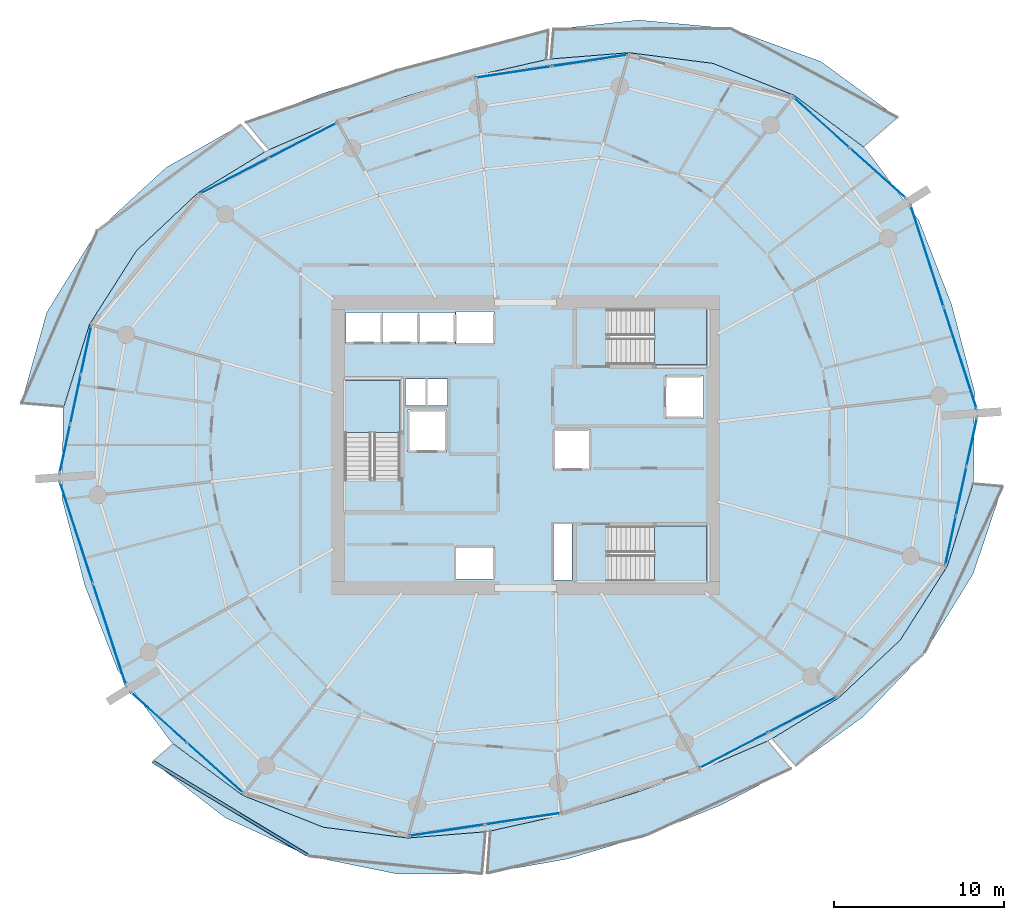
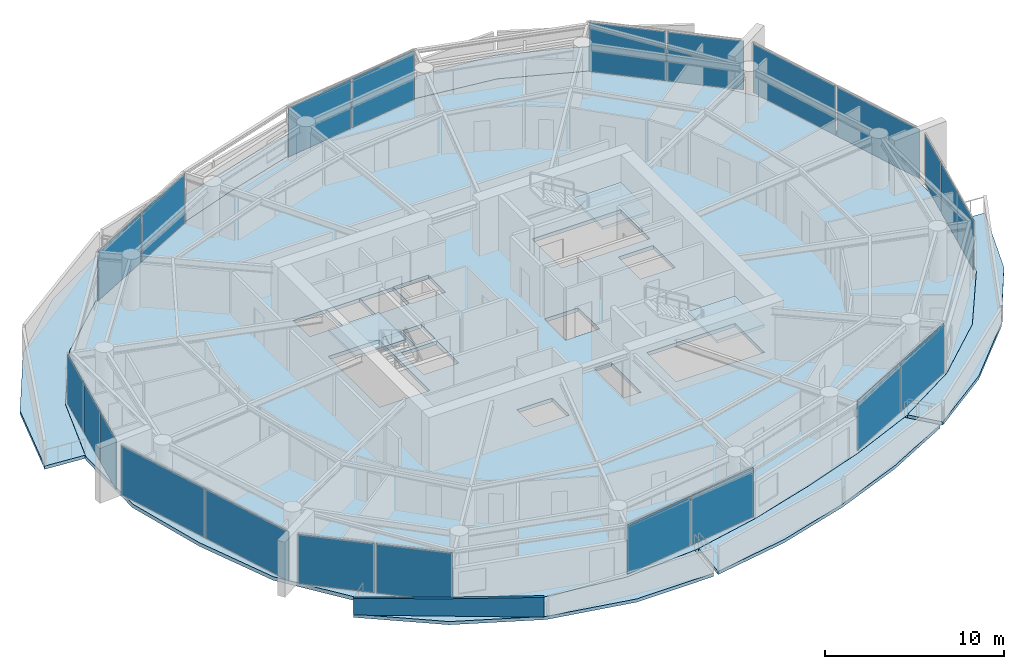
# One storey, part 10 of 20: 22 plates, 10 slabs, 1 wall, 13 elements without a shape of their own.
"""IFC4 building model written with IfcOpenShell, lengths in metres."""

from ifc_helpers import new_model, si_unit, direction, frame, origin, origin_2d, place, context, subcontext, project, spatial, polyline, rectangle, outline, extrude, material, layer, layer_set, type_object, element, aggregate, save


model = new_model("IFC4")

# Units and contexts
model_context = context("Model", 3, precision=1e-05, world=origin(), true_north=direction((0.0, 1.0)))
body_context = subcontext(model_context, "Body", "Model", "MODEL_VIEW")
ifc_project = project(units=[si_unit("LENGTHUNIT", "METRE"), si_unit("AREAUNIT", "SQUARE_METRE"), si_unit("VOLUMEUNIT", "CUBIC_METRE"), si_unit("PLANEANGLEUNIT", "RADIAN"), si_unit("MASSUNIT", "GRAM", prefix="KILO")], contexts=[model_context])

# Site, building, storey
site_placement = place(None, origin())
site = spatial("IfcSite", under=ifc_project, at=site_placement, CompositionType="ELEMENT")
building_placement = place(site_placement, origin())
building = spatial("IfcBuilding", under=site, at=building_placement, Name="Kazma Halo Residences", CompositionType="ELEMENT")
storey_placement = place(building_placement, frame((0.0, 0.0, 139.050048828125)))
storey = spatial("IfcBuildingStorey", under=building, at=storey_placement, Name="L34", CompositionType="ELEMENT", Elevation=139.050048828125)

# Curtain wall, plates
ifc_material_1 = material(Name="Aluminium AW-6063 T6 and Triple-Silver Low-E Glass", Category="aluminium")
ifc_layer_1 = layer(ifc_material_1, 0.219970703125)
ifc_layer_set_1 = layer_set([ifc_layer_1], Name="Aluminium AW-6063 T6 and Triple-Silver Low-E Glass")
curtain_wall_type = type_object("IfcCurtainWallType", Name="CW-SYS-4", PredefinedType="NOTDEFINED", material=ifc_layer_set_1)
curtain_wall_1_placement = place(storey_placement, origin())
curtain_wall_1 = element("IfcCurtainWall", 1, at=curtain_wall_1_placement, inside=storey, type_object=curtain_wall_type, Name="L34 unitised curtain wall B01", PredefinedType="NOTDEFINED")
ifc_material_2 = material(Name="Clear Triple-Silver Low-E Glass IGU", Category="glass")
ifc_layer_2 = layer(ifc_material_2, 0.033935546875)
ifc_layer_set_2 = layer_set([ifc_layer_2], Name="Clear Triple-Silver Low-E Glass IGU")
plate_type = type_object("IfcPlateType", Name="CW-SYS-4-PNL", PredefinedType="CURTAIN_PANEL", material=ifc_layer_set_2)
plate_1_placement = place(storey_placement, frame((69.126708984375, 58.008056640625, 0.074951171875), z_axis=(0.0, 0.0, 1.0), x_axis=(-0.744367582957, 0.667770096247, 0.0)))
plate_1 = element("IfcPlate", 2, at=plate_1_placement, type_object=plate_type, Name="CWS-4 panel 1.1", PredefinedType="CURTAIN_PANEL", context=body_context, shape_type="SweptSolid", body=[
    extrude(rectangle(XDim=4.36279296875, YDim=0.033935546875, at=origin_2d()), origin(), (0.0, 0.0, 1.0), 3.35009765625),
])
plate_2_placement = place(storey_placement, frame((65.823486328125, 60.971435546875, 0.074951171875), z_axis=(0.0, 0.0, 1.0), x_axis=(-0.744367582957, 0.667770096247, 0.0)))
plate_2 = element("IfcPlate", 3, at=plate_2_placement, type_object=plate_type, Name="CWS-4 panel 2.1", PredefinedType="CURTAIN_PANEL", context=body_context, shape_type="SweptSolid", body=[
    extrude(rectangle(XDim=4.36279296875, YDim=0.033935546875, at=origin_2d()), origin(), (0.0, 0.0, 1.0), 3.35009765625),
])
aggregate(curtain_wall_1, [plate_1, plate_2])

curtain_wall_2_placement = place(storey_placement, origin())
curtain_wall_2 = element("IfcCurtainWall", 4, at=curtain_wall_2_placement, inside=storey, type_object=curtain_wall_type, Name="L34 unitised curtain wall B03", PredefinedType="NOTDEFINED")
plate_3_placement = place(storey_placement, frame((52.200439453125, 64.625732421875, 0.074951171875), z_axis=(0.0, 0.0, 1.0), x_axis=(-0.988864148004, -0.148821022686, 0.0)))
plate_3 = element("IfcPlate", 5, at=plate_3_placement, type_object=plate_type, Name="CWS-4 panel 1.1", PredefinedType="CURTAIN_PANEL", context=body_context, shape_type="SweptSolid", body=[
    extrude(rectangle(XDim=4.4560546875, YDim=0.033935546875, at=origin_2d()), origin(), (0.0, 0.0, 1.0), 3.35009765625),
])
plate_4_placement = place(storey_placement, frame((47.7197265625, 63.951416015625, 0.074951171875), z_axis=(0.0, 0.0, 1.0), x_axis=(-0.988864148004, -0.148821022686, 0.0)))
plate_4 = element("IfcPlate", 6, at=plate_4_placement, type_object=plate_type, Name="CWS-4 panel 2.1", PredefinedType="CURTAIN_PANEL", context=body_context, shape_type="SweptSolid", body=[
    extrude(rectangle(XDim=4.4560546875, YDim=0.033935546875, at=origin_2d()), origin(), (0.0, 0.0, 1.0), 3.35009765625),
])
aggregate(curtain_wall_2, [plate_3, plate_4])

curtain_wall_3_placement = place(storey_placement, origin())
curtain_wall_3 = element("IfcCurtainWall", 7, at=curtain_wall_3_placement, inside=storey, type_object=curtain_wall_type, Name="L34 unitised curtain wall B05", PredefinedType="NOTDEFINED")
plate_5_placement = place(storey_placement, frame((35.323974609375, 59.923828125, 0.074951171875), z_axis=(0.0, 0.0, 1.0), x_axis=(-0.887484542306, -0.460837484552, 0.0)))
plate_5 = element("IfcPlate", 8, at=plate_5_placement, type_object=plate_type, Name="CWS-4 panel 1.1", PredefinedType="CURTAIN_PANEL", context=body_context, shape_type="SweptSolid", body=[
    extrude(rectangle(XDim=4.4560546875, YDim=0.033935546875, at=origin_2d()), origin(), (0.0, 0.0, 1.0), 3.35009765625),
])
plate_6_placement = place(storey_placement, frame((31.302734375, 57.835693359375, 0.074951171875), z_axis=(0.0, 0.0, 1.0), x_axis=(-0.887484542306, -0.460837484552, 0.0)))
plate_6 = element("IfcPlate", 9, at=plate_6_placement, type_object=plate_type, Name="CWS-4 panel 2.1", PredefinedType="CURTAIN_PANEL", context=body_context, shape_type="SweptSolid", body=[
    extrude(rectangle(XDim=4.4560546875, YDim=0.033935546875, at=origin_2d()), origin(), (0.0, 0.0, 1.0), 3.35009765625),
])
aggregate(curtain_wall_3, [plate_5, plate_6])

curtain_wall_4_placement = place(storey_placement, origin())
curtain_wall_4 = element("IfcCurtainWall", 10, at=curtain_wall_4_placement, inside=storey, type_object=curtain_wall_type, Name="L34 unitised curtain wall B07", PredefinedType="NOTDEFINED")
plate_7_placement = place(storey_placement, frame((22.5859375, 47.601318359375, 0.074951171875), z_axis=(0.0, 0.0, 1.0), x_axis=(-0.209703809037, -0.977764957684, 0.0)))
plate_7 = element("IfcPlate", 11, at=plate_7_placement, type_object=plate_type, Name="CWS-4 panel 1.1", PredefinedType="CURTAIN_PANEL", context=body_context, shape_type="SweptSolid", body=[
    extrude(rectangle(XDim=2.87109375, YDim=0.033935546875, at=origin_2d()), origin(), (0.0, 0.0, 1.0), 3.35009765625),
])
plate_8_placement = place(storey_placement, frame((21.964111328125, 44.702392578125, 0.074951171875), z_axis=(0.0, 0.0, 1.0), x_axis=(-0.209703809037, -0.977764957684, 0.0)))
plate_8 = element("IfcPlate", 12, at=plate_8_placement, type_object=plate_type, Name="CWS-4 panel 2.1", PredefinedType="CURTAIN_PANEL", context=body_context, shape_type="SweptSolid", body=[
    extrude(rectangle(XDim=2.90869140625, YDim=0.033935546875, at=origin_2d()), origin(), (0.0, 0.0, 1.0), 3.35009765625),
])
plate_9_placement = place(storey_placement, frame((21.34228515625, 41.803466796875, 0.074951171875), z_axis=(0.0, 0.0, 1.0), x_axis=(-0.209703809037, -0.977764957684, 0.0)))
plate_9 = element("IfcPlate", 13, at=plate_9_placement, type_object=plate_type, Name="CWS-4 panel 3.1", PredefinedType="CURTAIN_PANEL", context=body_context, shape_type="SweptSolid", body=[
    extrude(rectangle(XDim=2.87109375, YDim=0.033935546875, at=origin_2d()), origin(), (0.0, 0.0, 1.0), 3.35009765625),
])
aggregate(curtain_wall_4, [plate_7, plate_8, plate_9])

curtain_wall_5_placement = place(storey_placement, origin())
curtain_wall_5 = element("IfcCurtainWall", 14, at=curtain_wall_5_placement, inside=storey, type_object=curtain_wall_type, Name="L34 unitised curtain wall B08", PredefinedType="NOTDEFINED")
plate_10_placement = place(storey_placement, frame((22.017578125, 36.869873046875, 0.074951171875), z_axis=(0.0, 0.0, 1.0), x_axis=(0.3090138203, -0.951057547609, 0.0)))
plate_10 = element("IfcPlate", 15, at=plate_10_placement, type_object=plate_type, Name="CWS-4 panel 1.1", PredefinedType="CURTAIN_PANEL", context=body_context, shape_type="SweptSolid", body=[
    extrude(rectangle(XDim=6.224853515625, YDim=0.033935546875, at=origin_2d()), origin(), (0.0, 0.0, 1.0), 3.35009765625),
])
plate_11_placement = place(storey_placement, frame((23.96435546875, 30.878173828125, 0.074951171875), z_axis=(0.0, 0.0, 1.0), x_axis=(0.3090138203, -0.951057547609, 0.0)))
plate_11 = element("IfcPlate", 16, at=plate_11_placement, type_object=plate_type, Name="CWS-4 panel 2.1", PredefinedType="CURTAIN_PANEL", context=body_context, shape_type="SweptSolid", body=[
    extrude(rectangle(XDim=6.224853515625, YDim=0.033935546875, at=origin_2d()), origin(), (0.0, 0.0, 1.0), 3.35009765625),
])
aggregate(curtain_wall_5, [plate_10, plate_11])

curtain_wall_6_placement = place(storey_placement, origin())
curtain_wall_6 = element("IfcCurtainWall", 17, at=curtain_wall_6_placement, inside=storey, type_object=curtain_wall_type, Name="L34 unitised curtain wall B09", PredefinedType="NOTDEFINED")
plate_12_placement = place(storey_placement, frame((26.873291015625, 25.991943359375, 0.074951171875), z_axis=(0.0, 0.0, 1.0), x_axis=(0.744367582957, -0.667770096247, 0.0)))
plate_12 = element("IfcPlate", 18, at=plate_12_placement, type_object=plate_type, Name="CWS-4 panel 1.1", PredefinedType="CURTAIN_PANEL", context=body_context, shape_type="SweptSolid", body=[
    extrude(rectangle(XDim=4.36279296875, YDim=0.033935546875, at=origin_2d()), origin(), (0.0, 0.0, 1.0), 3.35009765625),
])
plate_13_placement = place(storey_placement, frame((30.176513671875, 23.028564453125, 0.074951171875), z_axis=(0.0, 0.0, 1.0), x_axis=(0.744367582957, -0.667770096247, 0.0)))
plate_13 = element("IfcPlate", 19, at=plate_13_placement, type_object=plate_type, Name="CWS-4 panel 2.1", PredefinedType="CURTAIN_PANEL", context=body_context, shape_type="SweptSolid", body=[
    extrude(rectangle(XDim=4.36279296875, YDim=0.033935546875, at=origin_2d()), origin(), (0.0, 0.0, 1.0), 3.35009765625),
])
aggregate(curtain_wall_6, [plate_12, plate_13])

curtain_wall_7_placement = place(storey_placement, origin())
curtain_wall_7 = element("IfcCurtainWall", 20, at=curtain_wall_7_placement, inside=storey, type_object=curtain_wall_type, Name="L34 unitised curtain wall B11", PredefinedType="NOTDEFINED")
plate_14_placement = place(storey_placement, frame((43.799560546875, 19.374267578125, 0.074951171875), z_axis=(0.0, 0.0, 1.0), x_axis=(0.988864148004, 0.148821022686, 0.0)))
plate_14 = element("IfcPlate", 21, at=plate_14_placement, type_object=plate_type, Name="CWS-4 panel 1.1", PredefinedType="CURTAIN_PANEL", context=body_context, shape_type="SweptSolid", body=[
    extrude(rectangle(XDim=4.4560546875, YDim=0.033935546875, at=origin_2d()), origin(), (0.0, 0.0, 1.0), 3.35009765625),
])
plate_15_placement = place(storey_placement, frame((48.2802734375, 20.048583984375, 0.074951171875), z_axis=(0.0, 0.0, 1.0), x_axis=(0.988864148004, 0.148821022686, 0.0)))
plate_15 = element("IfcPlate", 22, at=plate_15_placement, type_object=plate_type, Name="CWS-4 panel 2.1", PredefinedType="CURTAIN_PANEL", context=body_context, shape_type="SweptSolid", body=[
    extrude(rectangle(XDim=4.4560546875, YDim=0.033935546875, at=origin_2d()), origin(), (0.0, 0.0, 1.0), 3.35009765625),
])
aggregate(curtain_wall_7, [plate_14, plate_15])

curtain_wall_8_placement = place(storey_placement, origin())
curtain_wall_8 = element("IfcCurtainWall", 23, at=curtain_wall_8_placement, inside=storey, type_object=curtain_wall_type, Name="L34 unitised curtain wall B13", PredefinedType="NOTDEFINED")
plate_16_placement = place(storey_placement, frame((60.676025390625, 24.076171875, 0.074951171875), z_axis=(0.0, 0.0, 1.0), x_axis=(0.887484542306, 0.460837484552, 0.0)))
plate_16 = element("IfcPlate", 24, at=plate_16_placement, type_object=plate_type, Name="CWS-4 panel 1.1", PredefinedType="CURTAIN_PANEL", context=body_context, shape_type="SweptSolid", body=[
    extrude(rectangle(XDim=4.4560546875, YDim=0.033935546875, at=origin_2d()), origin(), (0.0, 0.0, 1.0), 3.35009765625),
])
plate_17_placement = place(storey_placement, frame((64.697265625, 26.164306640625, 0.074951171875), z_axis=(0.0, 0.0, 1.0), x_axis=(0.887484542306, 0.460837484552, 0.0)))
plate_17 = element("IfcPlate", 25, at=plate_17_placement, type_object=plate_type, Name="CWS-4 panel 2.1", PredefinedType="CURTAIN_PANEL", context=body_context, shape_type="SweptSolid", body=[
    extrude(rectangle(XDim=4.4560546875, YDim=0.033935546875, at=origin_2d()), origin(), (0.0, 0.0, 1.0), 3.35009765625),
])
aggregate(curtain_wall_8, [plate_16, plate_17])

curtain_wall_9_placement = place(storey_placement, origin())
curtain_wall_9 = element("IfcCurtainWall", 26, at=curtain_wall_9_placement, inside=storey, type_object=curtain_wall_type, Name="L34 unitised curtain wall B15", PredefinedType="NOTDEFINED")
plate_18_placement = place(storey_placement, frame((73.4140625, 36.398681640625, 0.074951171875), z_axis=(0.0, 0.0, 1.0), x_axis=(0.209703809037, 0.977764957684, 0.0)))
plate_18 = element("IfcPlate", 27, at=plate_18_placement, type_object=plate_type, Name="CWS-4 panel 1.1", PredefinedType="CURTAIN_PANEL", context=body_context, shape_type="SweptSolid", body=[
    extrude(rectangle(XDim=2.87109375, YDim=0.033935546875, at=origin_2d()), origin(), (0.0, 0.0, 1.0), 3.35009765625),
])
plate_19_placement = place(storey_placement, frame((74.035888671875, 39.297607421875, 0.074951171875), z_axis=(0.0, 0.0, 1.0), x_axis=(0.209703809037, 0.977764957684, 0.0)))
plate_19 = element("IfcPlate", 28, at=plate_19_placement, type_object=plate_type, Name="CWS-4 panel 2.1", PredefinedType="CURTAIN_PANEL", context=body_context, shape_type="SweptSolid", body=[
    extrude(rectangle(XDim=2.90869140625, YDim=0.033935546875, at=origin_2d()), origin(), (0.0, 0.0, 1.0), 3.35009765625),
])
plate_20_placement = place(storey_placement, frame((74.65771484375, 42.196533203125, 0.074951171875), z_axis=(0.0, 0.0, 1.0), x_axis=(0.209703809037, 0.977764957684, 0.0)))
plate_20 = element("IfcPlate", 29, at=plate_20_placement, type_object=plate_type, Name="CWS-4 panel 3.1", PredefinedType="CURTAIN_PANEL", context=body_context, shape_type="SweptSolid", body=[
    extrude(rectangle(XDim=2.87109375, YDim=0.033935546875, at=origin_2d()), origin(), (0.0, 0.0, 1.0), 3.35009765625),
])
aggregate(curtain_wall_9, [plate_18, plate_19, plate_20])

curtain_wall_10_placement = place(storey_placement, origin())
curtain_wall_10 = element("IfcCurtainWall", 30, at=curtain_wall_10_placement, inside=storey, type_object=curtain_wall_type, Name="L34 unitised curtain wall B16", PredefinedType="NOTDEFINED")
plate_21_placement = place(storey_placement, frame((73.982421875, 47.130126953125, 0.074951171875), z_axis=(0.0, 0.0, 1.0), x_axis=(-0.3090138203, 0.951057547609, 0.0)))
plate_21 = element("IfcPlate", 31, at=plate_21_placement, type_object=plate_type, Name="CWS-4 panel 1.1", PredefinedType="CURTAIN_PANEL", context=body_context, shape_type="SweptSolid", body=[
    extrude(rectangle(XDim=6.224853515625, YDim=0.033935546875, at=origin_2d()), origin(), (0.0, 0.0, 1.0), 3.35009765625),
])
plate_22_placement = place(storey_placement, frame((72.03564453125, 53.121826171875, 0.074951171875), z_axis=(0.0, 0.0, 1.0), x_axis=(-0.3090138203, 0.951057547609, 0.0)))
plate_22 = element("IfcPlate", 32, at=plate_22_placement, type_object=plate_type, Name="CWS-4 panel 2.1", PredefinedType="CURTAIN_PANEL", context=body_context, shape_type="SweptSolid", body=[
    extrude(rectangle(XDim=6.224853515625, YDim=0.033935546875, at=origin_2d()), origin(), (0.0, 0.0, 1.0), 3.35009765625),
])
aggregate(curtain_wall_10, [plate_21, plate_22])

# Slabs
ifc_material_3 = material(Name="White Concrete C50/60", Category="concrete")
ifc_layer_3 = layer(ifc_material_3, 0.219970703125)
ifc_layer_set_3 = layer_set([ifc_layer_3], Name="White Concrete C50/60")
slab_type_1 = type_object("IfcSlabType", Name="SLB-BAL-WAVE-210", PredefinedType="FLOOR", material=ifc_layer_set_3)
slab_1_placement = place(storey_placement, frame((0.0, 0.0, -0.219970703125)))
element("IfcSlab", 33, at=slab_1_placement, inside=storey, type_object=slab_type_1, Name="L34 NE cantilevered wave balcony slab", PredefinedType="FLOOR", context=body_context, shape_type="SweptSolid", body=[
    extrude(outline(polyline([(68.294677734375, 59.548583984375), (64.21923828125, 62.573974609375), (59.442626953125, 64.45751953125), (54.510986328125, 65.0859375), (49.927978515625, 64.720458984375), (50.07568359375, 66.462158203125), (55.052978515625, 67.007568359375), (60.4853515625, 66.50390625), (65.785888671875, 64.561279296875), (70.2900390625, 61.274169921875), (68.294677734375, 59.548583984375)])), origin(), (0.0, 0.0, 1.0), 0.219970703125),
])
slab_2_placement = place(storey_placement, frame((0.0, 0.0, -0.219970703125)))
element("IfcSlab", 34, at=slab_2_placement, inside=storey, type_object=slab_type_1, Name="L34 NNW cantilevered wave balcony slab", PredefinedType="FLOOR", context=body_context, shape_type="SweptSolid", body=[
    extrude(outline(polyline([(49.6455078125, 64.67822265625), (45.427978515625, 63.72998046875), (41.3408203125, 62.494873046875), (37.30810546875, 61.091552734375), (33.3388671875, 59.3798828125), (31.988037109375, 60.981201171875), (36.42431640625, 62.669921875), (40.841064453125, 64.033203125), (45.241455078125, 65.306884765625), (49.770751953125, 66.40380859375), (49.6455078125, 64.67822265625)])), origin(), (0.0, 0.0, 1.0), 0.219970703125),
])
slab_3_placement = place(storey_placement, frame((0.0, 0.0, -0.219970703125)))
element("IfcSlab", 35, at=slab_3_placement, inside=storey, type_object=slab_type_1, Name="L34 NW cantilevered wave balcony slab", PredefinedType="FLOOR", context=body_context, shape_type="SweptSolid", body=[
    extrude(outline(polyline([(33.08544921875, 59.248046875), (29.1630859375, 56.849853515625), (25.54248046875, 53.442626953125), (22.78515625, 49.111328125), (21.2666015625, 44.268310546875), (18.782958984375, 44.47900390625), (20.275146484375, 49.819091796875), (23.2451171875, 54.61328125), (27.28857421875, 58.32763671875), (31.699951171875, 60.850341796875), (33.08544921875, 59.248046875)])), origin(), (0.0, 0.0, 1.0), 0.219970703125),
])
slab_4_placement = place(storey_placement, frame((0.0, 0.0, -0.219970703125)))
element("IfcSlab", 36, at=slab_4_placement, inside=storey, type_object=slab_type_1, Name="L34 SW cantilevered wave balcony slab", PredefinedType="FLOOR", context=body_context, shape_type="SweptSolid", body=[
    extrude(outline(polyline([(27.705322265625, 24.451416015625), (31.78076171875, 21.426025390625), (36.557373046875, 19.54248046875), (41.489013671875, 18.9140625), (46.072021484375, 19.279541015625), (45.86328125, 16.818603515625), (40.89208984375, 16.797119140625), (35.6953125, 17.8505859375), (30.74951171875, 20.117919921875), (26.49658203125, 23.406005859375), (27.705322265625, 24.451416015625)])), origin(), (0.0, 0.0, 1.0), 0.219970703125),
])
slab_5_placement = place(storey_placement, frame((0.0, 0.0, -0.219970703125)))
element("IfcSlab", 37, at=slab_5_placement, inside=storey, type_object=slab_type_1, Name="L34 SSE cantilevered wave balcony slab", PredefinedType="FLOOR", context=body_context, shape_type="SweptSolid", body=[
    extrude(outline(polyline([(46.3544921875, 19.32177734375), (50.572021484375, 20.27001953125), (54.6591796875, 21.505126953125), (58.69189453125, 22.908447265625), (62.6611328125, 24.6201171875), (64.024169921875, 23.00439453125), (59.858154296875, 20.825927734375), (55.455810546875, 19.052978515625), (50.87841796875, 17.68017578125), (46.175048828125, 16.849365234375), (46.3544921875, 19.32177734375)])), origin(), (0.0, 0.0, 1.0), 0.219970703125),
])
slab_6_placement = place(storey_placement, frame((0.0, 0.0, -0.219970703125)))
element("IfcSlab", 38, at=slab_6_placement, inside=storey, type_object=slab_type_1, Name="L34 SE cantilevered wave balcony slab", PredefinedType="FLOOR", context=body_context, shape_type="SweptSolid", body=[
    extrude(outline(polyline([(62.91455078125, 24.751953125), (66.8369140625, 27.150146484375), (70.45751953125, 30.557373046875), (73.21484375, 34.888671875), (74.7333984375, 39.731689453125), (76.47119140625, 39.584228515625), (74.7431640625, 34.45751953125), (71.898681640625, 29.822998046875), (68.2578125, 26.030029296875), (64.28759765625, 23.1640625), (62.91455078125, 24.751953125)])), origin(), (0.0, 0.0, 1.0), 0.219970703125),
])
ifc_material_4 = material(Name="Concrete C50/60", Category="concrete")
ifc_layer_4 = layer(ifc_material_4, 0.25)
ifc_layer_set_4 = layer_set([ifc_layer_4], Name="Concrete C50/60")
slab_type_2 = type_object("IfcSlabType", Name="SLB-RES-250", PredefinedType="FLOOR", material=ifc_layer_set_4)
slab_7_placement = place(storey_placement, frame((0.0, 0.0, -0.25)))
element("IfcSlab", 39, at=slab_7_placement, inside=storey, type_object=slab_type_2, Name="L34 structural floor slab", PredefinedType="FLOOR", context=body_context, shape_type="SweptSolid", body=[
    extrude(outline(polyline([(73.47265625, 50.276611328125), (71.56201171875, 55.1953125), (68.41796875, 59.438720703125), (64.218017578125, 62.572509765625), (59.441650390625, 64.45556640625), (54.510498046875, 65.083984375), (49.787109375, 64.706298828125), (45.42822265625, 63.727783203125), (41.341552734375, 62.492919921875), (37.30908203125, 61.08984375), (33.2080078125, 59.3193359375), (29.16455078125, 56.8486328125), (25.54443359375, 53.441650390625), (22.787109375, 49.110595703125), (21.2314453125, 44.106689453125), (21.181884765625, 38.825927734375), (22.52734375, 33.723388671875), (24.43798828125, 28.8046875), (27.58203125, 24.561279296875), (31.781982421875, 21.427490234375), (36.558349609375, 19.54443359375), (41.489501953125, 18.916015625), (46.212890625, 19.293701171875), (50.57177734375, 20.272216796875), (54.658447265625, 21.507080078125), (58.69091796875, 22.91015625), (62.7919921875, 24.6806640625), (66.83544921875, 27.1513671875), (70.45556640625, 30.558349609375), (73.212890625, 34.889404296875), (74.7685546875, 39.893310546875), (74.818115234375, 45.174072265625), (73.47265625, 50.276611328125)]), holes=[polyline([(37.800048828125, 40.110107421875), (41.050048828125, 40.110107421875), (41.050048828125, 45.800048828125), (37.800048828125, 45.800048828125), (37.800048828125, 40.110107421875)]), polyline([(53.360107421875, 46.75), (59.050048828125, 46.75), (59.050048828125, 50.0), (53.360107421875, 50.0), (53.360107421875, 46.75)]), polyline([(53.360107421875, 34.0), (59.050048828125, 34.0), (59.050048828125, 37.25), (53.360107421875, 37.25), (53.360107421875, 34.0)]), polyline([(41.52001953125, 41.6201171875), (43.780029296875, 41.6201171875), (43.780029296875, 44.080078125), (41.52001953125, 44.080078125), (41.52001953125, 41.6201171875)]), polyline([(56.6201171875, 43.6201171875), (58.8798828125, 43.6201171875), (58.8798828125, 46.080078125), (56.6201171875, 46.080078125), (56.6201171875, 43.6201171875)]), polyline([(37.864990234375, 47.9951171875), (39.97509765625, 47.9951171875), (39.97509765625, 49.804931640625), (37.864990234375, 49.804931640625), (37.864990234375, 47.9951171875)]), polyline([(40.014892578125, 47.9951171875), (42.125, 47.9951171875), (42.125, 49.804931640625), (40.014892578125, 49.804931640625), (40.014892578125, 47.9951171875)]), polyline([(42.1650390625, 47.9951171875), (44.27490234375, 47.9951171875), (44.27490234375, 49.804931640625), (42.1650390625, 49.804931640625), (42.1650390625, 47.9951171875)]), polyline([(44.320068359375, 47.945068359375), (46.580078125, 47.945068359375), (46.580078125, 49.85498046875), (44.320068359375, 49.85498046875), (44.320068359375, 47.945068359375)]), polyline([(44.320068359375, 34.14501953125), (46.580078125, 34.14501953125), (46.580078125, 36.054931640625), (44.320068359375, 36.054931640625), (44.320068359375, 34.14501953125)]), polyline([(50.070068359375, 40.570068359375), (52.22998046875, 40.570068359375), (52.22998046875, 42.929931640625), (50.070068359375, 42.929931640625), (50.070068359375, 40.570068359375)]), polyline([(41.360107421875, 44.340087890625), (42.5400390625, 44.340087890625), (42.5400390625, 45.89990234375), (41.360107421875, 45.89990234375), (41.360107421875, 44.340087890625)]), polyline([(42.659912109375, 44.340087890625), (43.840087890625, 44.340087890625), (43.840087890625, 45.89990234375), (42.659912109375, 45.89990234375), (42.659912109375, 44.340087890625)]), polyline([(50.06005859375, 34.080078125), (51.159912109375, 34.080078125), (51.159912109375, 37.3798828125), (50.06005859375, 37.3798828125), (50.06005859375, 34.080078125)])]), origin(), (0.0, 0.0, 1.0), 0.25),
])

# Stair, slab
stair_type = type_object("IfcStairType", Name="STR-RES1", PredefinedType="HALF_TURN_STAIR", material=ifc_material_4)
stair_1_placement = place(storey_placement, origin())
stair_1 = element("IfcStair", 40, at=stair_1_placement, inside=storey, type_object=stair_type, Name="L34 Core exit stair ST-01", PredefinedType="HALF_TURN_STAIR")
ifc_layer_5 = layer(ifc_material_4, 0.199951171875)
ifc_layer_set_5 = layer_set([ifc_layer_5], Name="Concrete C50/60")
slab_type_3 = type_object("IfcSlabType", Name="SLB-STAIR-LND-200", PredefinedType="LANDING", material=ifc_layer_set_5)
slab_8_placement = place(storey_placement, frame((0.0, 0.0, 1.675048828125)))
slab_8 = element("IfcSlab", 41, at=slab_8_placement, type_object=slab_type_3, Name="ST-01 landing 1", PredefinedType="LANDING", context=body_context, shape_type="SweptSolid", body=[
    extrude(outline(polyline([(41.050048828125, 42.75), (41.050048828125, 45.800048828125), (37.800048828125, 45.800048828125), (37.800048828125, 42.75), (41.050048828125, 42.75)])), origin(), (0.0, 0.0, 1.0), 0.199951171875),
])
aggregate(stair_1, [slab_8])

stair_2_placement = place(storey_placement, origin())
stair_2 = element("IfcStair", 42, at=stair_2_placement, inside=storey, type_object=stair_type, Name="L34 Core exit stair ST-02", PredefinedType="HALF_TURN_STAIR")
slab_9_placement = place(storey_placement, frame((0.0, 0.0, 1.675048828125)))
slab_9 = element("IfcSlab", 43, at=slab_9_placement, type_object=slab_type_3, Name="ST-02 landing 1", PredefinedType="LANDING", context=body_context, shape_type="SweptSolid", body=[
    extrude(outline(polyline([(56.0, 46.75), (59.050048828125, 46.75), (59.050048828125, 50.0), (56.0, 50.0), (56.0, 46.75)])), origin(), (0.0, 0.0, 1.0), 0.199951171875),
])
aggregate(stair_2, [slab_9])

stair_3_placement = place(storey_placement, origin())
stair_3 = element("IfcStair", 44, at=stair_3_placement, inside=storey, type_object=stair_type, Name="L34 Core exit stair ST-03", PredefinedType="HALF_TURN_STAIR")
slab_10_placement = place(storey_placement, frame((0.0, 0.0, 1.675048828125)))
slab_10 = element("IfcSlab", 45, at=slab_10_placement, type_object=slab_type_3, Name="ST-03 landing 1", PredefinedType="LANDING", context=body_context, shape_type="SweptSolid", body=[
    extrude(outline(polyline([(56.0, 34.0), (59.050048828125, 34.0), (59.050048828125, 37.25), (56.0, 37.25), (56.0, 34.0)])), origin(), (0.0, 0.0, 1.0), 0.199951171875),
])
aggregate(stair_3, [slab_10])

# Wall
ifc_material_5 = material(Name="White Concrete C50/60 Balustrade", Category="concrete")
ifc_layer_6 = layer(ifc_material_5, 0.179931640625)
ifc_layer_set_6 = layer_set([ifc_layer_6], Name="White Concrete C50/60 Balustrade")
wall_type = type_object("IfcWallType", Name="WL-BAL-WAVE-180", PredefinedType="PARAPET", material=ifc_layer_set_6)
wall_placement = place(storey_placement, frame((26.49658203125, 23.406005859375, 0.0), z_axis=(0.0, 0.0, 1.0), x_axis=(0.856001332464, -0.516973615207, 0.0)))
element("IfcWall", 46, at=wall_placement, inside=storey, type_object=wall_type, Name="L34 white wave balustrade wall SW.1", PredefinedType="PARAPET", context=body_context, shape_type="SweptSolid", body=[
    extrude(outline(polyline([(0.0, 0.0), (10.6259765625, 0.0), (10.626220703125, 1.347900390625), (5.31298828125, 1.181884765625), (0.0, 1.119873046875), (0.0, 0.0)])), frame((0.0, 0.08984375, 0.0), z_axis=(0.0, -1.0, 0.0), x_axis=(1.0, 0.0, 0.0)), (0.0, 0.0, 1.0), 0.179931640625),
])

save(model, "model.ifc")
